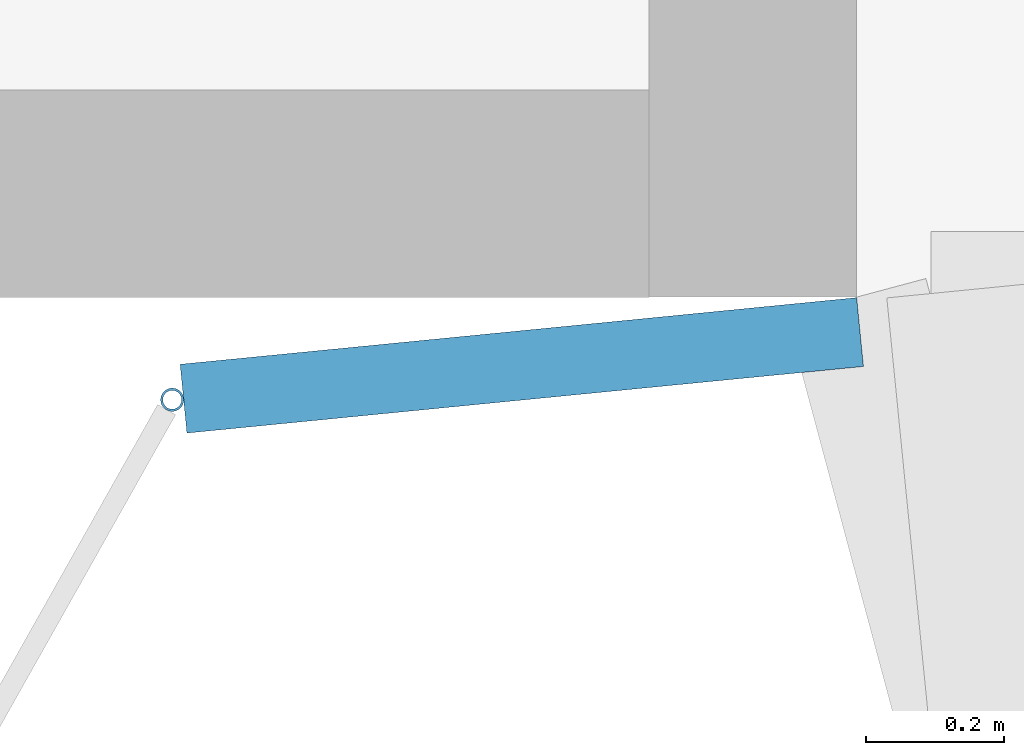
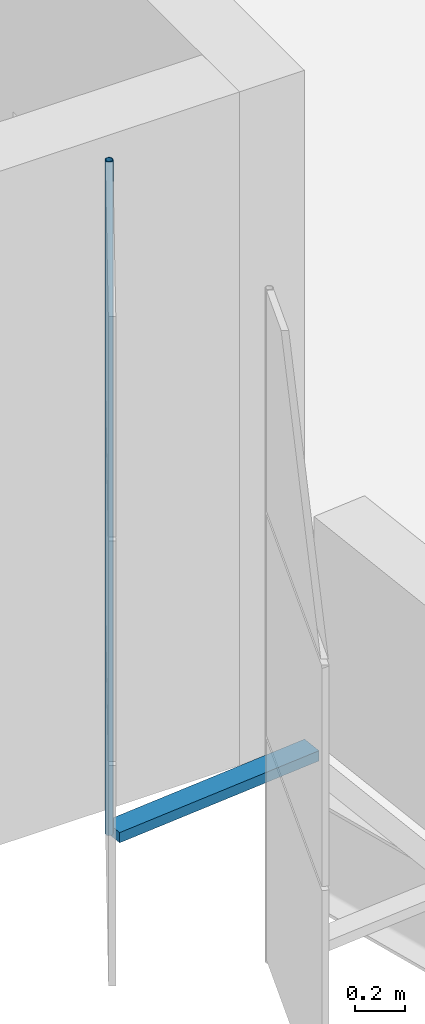
# One storey, part 86 of 214: 2 discrete accessories.
"""IFC4 building model written with IfcOpenShell, lengths in metres."""

from ifc_helpers import new_model, si_unit, direction, frame, origin, origin_2d, place, context, subcontext, project, spatial, rectangle, hollow_circle, extrude, material, material_profile, profile_set, type_object, element, save


model = new_model("IFC4")

# Units and contexts
model_context = context("Model", 3, precision=1e-05, world=origin(), true_north=direction((0.0, 1.0)))
body_context = subcontext(model_context, "Body", "Model", "MODEL_VIEW")
ifc_project = project(units=[si_unit("LENGTHUNIT", "METRE"), si_unit("AREAUNIT", "SQUARE_METRE"), si_unit("VOLUMEUNIT", "CUBIC_METRE"), si_unit("PLANEANGLEUNIT", "RADIAN"), si_unit("MASSUNIT", "GRAM", prefix="KILO")], contexts=[model_context])

# Site, building, storey
site_placement = place(None, origin())
site = spatial("IfcSite", under=ifc_project, at=site_placement, CompositionType="ELEMENT")
building_placement = place(site_placement, origin())
building = spatial("IfcBuilding", under=site, at=building_placement, Name="Parallax Yard Mobility Hub", CompositionType="ELEMENT")
storey_placement = place(building_placement, frame((0.0, 0.0, 3.300048828125)))
storey = spatial("IfcBuildingStorey", under=building, at=storey_placement, Name="L01", CompositionType="ELEMENT", Elevation=3.300048828125)

# Discrete accessories
ifc_material_1 = material(Name="Steel ASTM A36, hot-dip galvanised", Category="steel")
discrete_accessory_type_1 = type_object("IfcDiscreteAccessoryType", Name="Hinge bracket plate 100x50", PredefinedType="BRACKET", material=ifc_material_1)
discrete_accessory_1_placement = place(storey_placement, frame((22.015869140625, 119.9013671875, -0.02490234375), z_axis=(0.0, 0.0, 1.0), x_axis=(-0.995184726672, -0.09801714033, 0.0)))
element("IfcDiscreteAccessory", 1, at=discrete_accessory_1_placement, inside=storey, type_object=discrete_accessory_type_1, Name="Hinge bracket plate bay 72.1 level L01", PredefinedType="BRACKET", context=body_context, shape_type="SweptSolid", body=[
    extrude(rectangle(XDim=0.984130859375, YDim=0.10009765625, at=origin_2d()), origin(), (0.0, 0.0, 1.0), 0.050048828125),
])
ifc_material_2 = material(Name="Steel ASTM A500 Gr C, hot-dip galvanised", Category="steel")
ifc_material_profile = material_profile(ifc_material_2, hollow_circle(Radius=0.016845703125, WallThickness=0.003173828125, at=origin_2d()), Name="CHS 33.7x3.2")
ifc_profile_set = profile_set([ifc_material_profile], Name="Steel ASTM A500 Gr C, hot-dip galvanised")
discrete_accessory_type_2 = type_object("IfcDiscreteAccessoryType", Name="Hinge post CHS 33.7x3.2", PredefinedType="BRACKET", material=ifc_profile_set)
discrete_accessory_2_placement = place(storey_placement, frame((21.509765625, 119.8515625, 0.0), z_axis=(0.0, 0.0, 1.0), x_axis=(1.0, 0.0, 0.0)))
element("IfcDiscreteAccessory", 2, at=discrete_accessory_2_placement, inside=storey, type_object=discrete_accessory_type_2, Name="Hinge post bay 72.1 level L01", PredefinedType="BRACKET", context=body_context, shape_type="SweptSolid", body=[
    extrude(hollow_circle(Radius=0.016845703125, WallThickness=0.003173828125, at=origin_2d()), origin(), (0.0, 0.0, 1.0), 3.300048828125),
])

save(model, "model.ifc")
